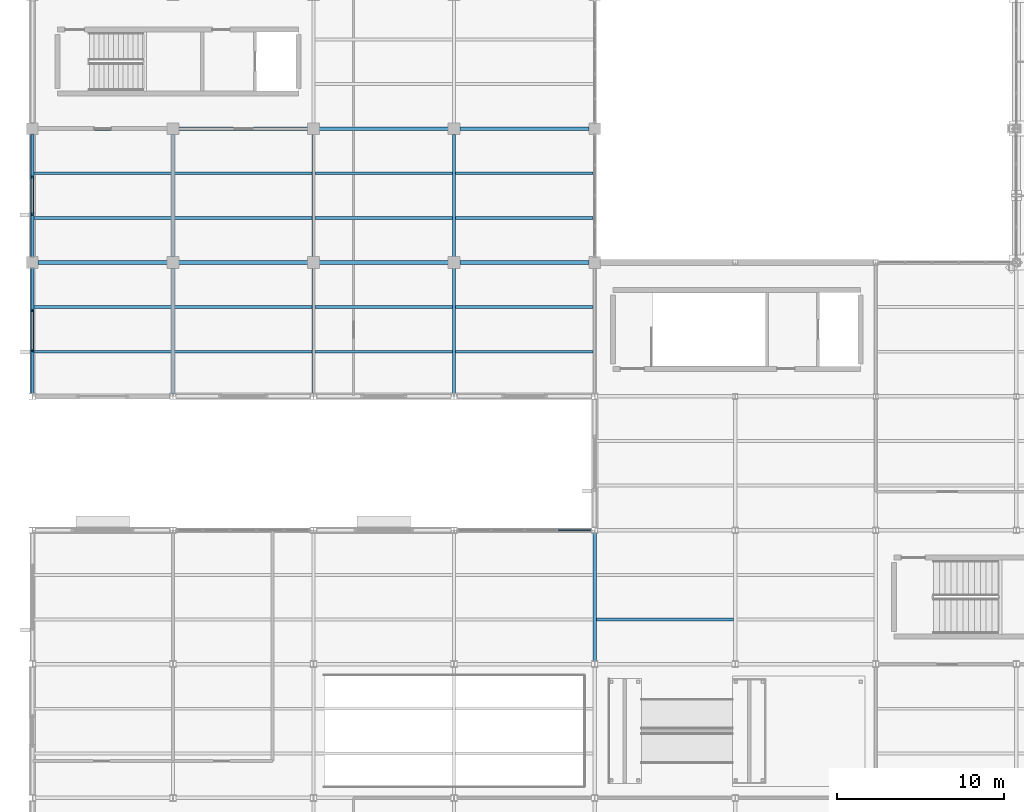
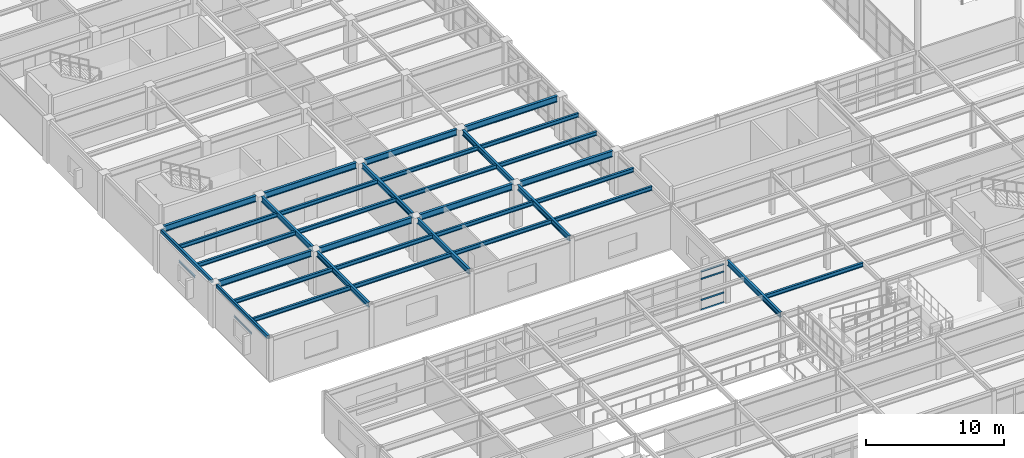
# One storey, part 25 of 138: 36 beams, 4 members, 1 element without a shape of its own.
"""IFC4 building model written with IfcOpenShell, lengths in metres."""

from ifc_helpers import new_model, si_unit, direction, frame, origin, origin_2d, place, context, subcontext, project, spatial, rectangle, hollow_rectangle, i_section, u_section, extrude, material, layer, layer_set, material_profile, profile_set, type_object, element, aggregate, save


model = new_model("IFC4")

# Units and contexts
model_context = context("Model", 3, precision=1e-05, world=origin(), true_north=direction((0.0, 1.0)))
body_context = subcontext(model_context, "Body", "Model", "MODEL_VIEW")
ifc_project = project(units=[si_unit("LENGTHUNIT", "METRE"), si_unit("AREAUNIT", "SQUARE_METRE"), si_unit("VOLUMEUNIT", "CUBIC_METRE"), si_unit("PLANEANGLEUNIT", "RADIAN"), si_unit("MASSUNIT", "GRAM", prefix="KILO")], contexts=[model_context])

# Site, building, storey
site_placement = place(None, origin())
site = spatial("IfcSite", under=ifc_project, at=site_placement, CompositionType="ELEMENT")
building_placement = place(site_placement, origin())
building = spatial("IfcBuilding", under=site, at=building_placement, Name="Kranzveld Transit Interchange", CompositionType="ELEMENT")
storey_placement = place(building_placement, frame((0.0, 0.0, 5.43994140625)))
storey = spatial("IfcBuildingStorey", under=building, at=storey_placement, Name="L01", CompositionType="ELEMENT", Elevation=5.43994140625)

# Beams
ifc_material_1 = material(Name="Steel S355JR", Category="steel")
ifc_material_profile_1 = material_profile(ifc_material_1, i_section(OverallWidth=0.19189453125, OverallDepth=0.46337890625, WebThickness=0.010498046875, FlangeThickness=0.017578125, FilletRadius=0.01025390625, at=origin_2d()), Name="UB 457x191x89")
ifc_profile_set_1 = profile_set([ifc_material_profile_1], Name="Steel S355JR")
beam_type_1 = type_object("IfcBeamType", Name="Beam Steel UB 457x191x89 S355JR", PredefinedType="BEAM", material=ifc_profile_set_1)
beam_1_placement = place(storey_placement, frame((8.39990234375, 48.17724609375, 3.568359375), z_axis=(0.0, 1.0, 0.0), x_axis=(-1.0, 0.0, 0.0)))
element("IfcBeam", 1, at=beam_1_placement, inside=storey, type_object=beam_type_1, Name="L01 Girder 02/G-H", PredefinedType="BEAM", context=body_context, shape_type="SweptSolid", body=[
    extrude(i_section(OverallWidth=0.19189453125, OverallDepth=0.46337890625, WebThickness=0.010498046875, FlangeThickness=0.017578125, FilletRadius=0.01025390625, at=origin_2d()), origin(), (0.0, 0.0, 1.0), 7.482666015625),
])
beam_2_placement = place(storey_placement, frame((8.39990234375, 56.340087890625, 3.568359375), z_axis=(0.0, 1.0, 0.0), x_axis=(-1.0, 0.0, 0.0)))
element("IfcBeam", 2, at=beam_2_placement, inside=storey, type_object=beam_type_1, Name="L01 Girder 02/H-J", PredefinedType="BEAM", context=body_context, shape_type="SweptSolid", body=[
    extrude(i_section(OverallWidth=0.19189453125, OverallDepth=0.46337890625, WebThickness=0.010498046875, FlangeThickness=0.017578125, FilletRadius=0.01025390625, at=origin_2d()), origin(), (0.0, 0.0, 1.0), 7.31982421875),
])
beam_3_placement = place(storey_placement, frame((16.800048828125, 48.17724609375, 3.568359375), z_axis=(0.0, 1.0, 0.0), x_axis=(-1.0, 0.0, 0.0)))
element("IfcBeam", 3, at=beam_3_placement, inside=storey, type_object=beam_type_1, Name="L01 Girder 03/G-H", PredefinedType="BEAM", context=body_context, shape_type="SweptSolid", body=[
    extrude(i_section(OverallWidth=0.19189453125, OverallDepth=0.46337890625, WebThickness=0.010498046875, FlangeThickness=0.017578125, FilletRadius=0.01025390625, at=origin_2d()), origin(), (0.0, 0.0, 1.0), 7.482666015625),
])
beam_4_placement = place(storey_placement, frame((16.800048828125, 56.340087890625, 3.568359375), z_axis=(0.0, 1.0, 0.0), x_axis=(-1.0, 0.0, 0.0)))
element("IfcBeam", 4, at=beam_4_placement, inside=storey, type_object=beam_type_1, Name="L01 Girder 03/H-J", PredefinedType="BEAM", context=body_context, shape_type="SweptSolid", body=[
    extrude(i_section(OverallWidth=0.19189453125, OverallDepth=0.46337890625, WebThickness=0.010498046875, FlangeThickness=0.017578125, FilletRadius=0.01025390625, at=origin_2d()), origin(), (0.0, 0.0, 1.0), 7.31982421875),
])
beam_5_placement = place(storey_placement, frame((25.199951171875, 48.17724609375, 3.568359375), z_axis=(0.0, 1.0, 0.0), x_axis=(-1.0, 0.0, 0.0)))
element("IfcBeam", 5, at=beam_5_placement, inside=storey, type_object=beam_type_1, Name="L01 Girder 04/G-H", PredefinedType="BEAM", context=body_context, shape_type="SweptSolid", body=[
    extrude(i_section(OverallWidth=0.19189453125, OverallDepth=0.46337890625, WebThickness=0.010498046875, FlangeThickness=0.017578125, FilletRadius=0.01025390625, at=origin_2d()), origin(), (0.0, 0.0, 1.0), 7.482666015625),
])
beam_6_placement = place(storey_placement, frame((25.199951171875, 56.340087890625, 3.568359375), z_axis=(0.0, 1.0, 0.0), x_axis=(-1.0, 0.0, 0.0)))
element("IfcBeam", 6, at=beam_6_placement, inside=storey, type_object=beam_type_1, Name="L01 Girder 04/H-J", PredefinedType="BEAM", context=body_context, shape_type="SweptSolid", body=[
    extrude(i_section(OverallWidth=0.19189453125, OverallDepth=0.46337890625, WebThickness=0.010498046875, FlangeThickness=0.017578125, FilletRadius=0.01025390625, at=origin_2d()), origin(), (0.0, 0.0, 1.0), 7.31982421875),
])
beam_7_placement = place(storey_placement, frame((33.60009765625, 32.17724609375, 3.568359375), z_axis=(0.0, 1.0, 0.0), x_axis=(-1.0, 0.0, 0.0)))
element("IfcBeam", 7, at=beam_7_placement, inside=storey, type_object=beam_type_1, Name="L01 Girder 05/E-F", PredefinedType="BEAM", context=body_context, shape_type="SweptSolid", body=[
    extrude(i_section(OverallWidth=0.19189453125, OverallDepth=0.46337890625, WebThickness=0.010498046875, FlangeThickness=0.017578125, FilletRadius=0.01025390625, at=origin_2d()), origin(), (0.0, 0.0, 1.0), 7.6455078125),
])

# Curtain wall, members
ifc_material_2 = material(Name="Bronze-anodised thermally broken aluminium", Category="aluminium")
ifc_layer = layer(ifc_material_2, 0.159912109375)
ifc_layer_set = layer_set([ifc_layer], Name="Bronze-anodised thermally broken aluminium")
curtain_wall_type = type_object("IfcCurtainWallType", Name="Bus Boarding Glazed Screen CW-3", PredefinedType="USERDEFINED", material=ifc_layer_set)
curtain_wall_placement = place(storey_placement, origin())
curtain_wall = element("IfcCurtainWall", 8, at=curtain_wall_placement, inside=storey, type_object=curtain_wall_type, Name="L01 Curtain Wall 04/F-05/F", ObjectType="CURTAIN WALL", PredefinedType="USERDEFINED")
ifc_material_3 = material(Name="Bronze-anodised thermally broken aluminium", Category="aluminium")
ifc_material_profile_2 = material_profile(ifc_material_3, rectangle(XDim=0.06494140625, YDim=0.139892578125, at=origin_2d()), Name="ALU TRANSOM 65x140")
ifc_profile_set_2 = profile_set([ifc_material_profile_2], Name="Bronze-anodised thermally broken aluminium")
member_type = type_object("IfcMemberType", Name="Curtain Wall Transom 65x140 Alu", PredefinedType="USERDEFINED", material=ifc_profile_set_2)
member_1_placement = place(storey_placement, frame((31.436279296875, 40.0, 0.032470703125), z_axis=(1.0, 0.0, 0.0), x_axis=(0.0, 1.0, 0.0)))
member_1 = element("IfcMember", 9, at=member_1_placement, type_object=member_type, Name="CW-3 transom 4.1", ObjectType="TRANSOM", PredefinedType="USERDEFINED", context=body_context, shape_type="SweptSolid", body=[
    extrude(rectangle(XDim=0.06494140625, YDim=0.139892578125, at=origin_2d()), origin(), (0.0, 0.0, 1.0), 1.91650390625),
])
member_2_placement = place(storey_placement, frame((31.436279296875, 40.0, 0.900146484375), z_axis=(1.0, 0.0, 0.0), x_axis=(0.0, 1.0, 0.0)))
member_2 = element("IfcMember", 10, at=member_2_placement, type_object=member_type, Name="CW-3 transom 4.2", ObjectType="TRANSOM", PredefinedType="USERDEFINED", context=body_context, shape_type="SweptSolid", body=[
    extrude(rectangle(XDim=0.06494140625, YDim=0.139892578125, at=origin_2d()), origin(), (0.0, 0.0, 1.0), 1.91650390625),
])
member_3_placement = place(storey_placement, frame((31.436279296875, 40.0, 2.75), z_axis=(1.0, 0.0, 0.0), x_axis=(0.0, 1.0, 0.0)))
member_3 = element("IfcMember", 11, at=member_3_placement, type_object=member_type, Name="CW-3 transom 4.3", ObjectType="TRANSOM", PredefinedType="USERDEFINED", context=body_context, shape_type="SweptSolid", body=[
    extrude(rectangle(XDim=0.06494140625, YDim=0.139892578125, at=origin_2d()), origin(), (0.0, 0.0, 1.0), 1.91650390625),
])
member_4_placement = place(storey_placement, frame((31.436279296875, 40.0, 3.41748046875), z_axis=(1.0, 0.0, 0.0), x_axis=(0.0, 1.0, 0.0)))
member_4 = element("IfcMember", 12, at=member_4_placement, type_object=member_type, Name="CW-3 transom 4.4", ObjectType="TRANSOM", PredefinedType="USERDEFINED", context=body_context, shape_type="SweptSolid", body=[
    extrude(rectangle(XDim=0.06494140625, YDim=0.139892578125, at=origin_2d()), origin(), (0.0, 0.0, 1.0), 1.91650390625),
])
aggregate(curtain_wall, [member_1, member_2, member_3, member_4])

# Beams
ifc_material_4 = material(Name="Steel S355JR", Category="steel")
ifc_material_profile_3 = material_profile(ifc_material_4, hollow_rectangle(XDim=0.199951171875, YDim=0.300048828125, WallThickness=0.010009765625, InnerFilletRadius=0.014892578125, OuterFilletRadius=0.02490234375, at=origin_2d()), Name="RHS 300x200x10")
ifc_profile_set_3 = profile_set([ifc_material_profile_3], Name="Steel S355JR")
beam_type_2 = type_object("IfcBeamType", Name="Edge Spandrel RHS 300x200x10 S355JR", PredefinedType="SPANDREL", material=ifc_profile_set_3)
beam_8_placement = place(storey_placement, frame((0.0, 48.17724609375, 3.650146484375), z_axis=(0.0, 1.0, 0.0), x_axis=(-1.0, 0.0, 0.0)))
element("IfcBeam", 13, at=beam_8_placement, inside=storey, type_object=beam_type_2, Name="L01 Girder 01/G-H", PredefinedType="SPANDREL", context=body_context, shape_type="SweptSolid", body=[
    extrude(hollow_rectangle(XDim=0.199951171875, YDim=0.300048828125, WallThickness=0.010009765625, InnerFilletRadius=0.014892578125, OuterFilletRadius=0.02490234375, at=origin_2d()), origin(), (0.0, 0.0, 1.0), 7.482666015625),
])
beam_9_placement = place(storey_placement, frame((0.0, 56.340087890625, 3.650146484375), z_axis=(0.0, 1.0, 0.0), x_axis=(-1.0, 0.0, 0.0)))
element("IfcBeam", 14, at=beam_9_placement, inside=storey, type_object=beam_type_2, Name="L01 Girder 01/H-J", PredefinedType="SPANDREL", context=body_context, shape_type="SweptSolid", body=[
    extrude(hollow_rectangle(XDim=0.199951171875, YDim=0.300048828125, WallThickness=0.010009765625, InnerFilletRadius=0.014892578125, OuterFilletRadius=0.02490234375, at=origin_2d()), origin(), (0.0, 0.0, 1.0), 7.31982421875),
])
ifc_material_5 = material(Name="Steel S355JR", Category="steel")
ifc_material_profile_4 = material_profile(ifc_material_5, i_section(OverallWidth=0.172119140625, OverallDepth=0.35791015625, WebThickness=0.008056640625, FlangeThickness=0.012939453125, FilletRadius=0.01025390625, at=origin_2d()), Name="UB 356x171x57")
ifc_profile_set_4 = profile_set([ifc_material_profile_4], Name="Steel S355JR")
beam_type_3 = type_object("IfcBeamType", Name="Floor Joist UB 356x171x57 S355JR", PredefinedType="JOIST", material=ifc_profile_set_4)
for number, where, z_axis, x_axis, name in (
    (15, (0.10205078125, 50.666748046875, 3.62109375), (1.0, 0.0, 0.0), (0.0, 1.0, 0.0), "L01 Secondary Joist 01-02/G.1"),
    (16, (0.10205078125, 53.333251953125, 3.62109375), (1.0, 0.0, 0.0), (0.0, 1.0, 0.0), "L01 Secondary Joist 01-02/G.2"),
    (17, (0.10205078125, 58.666748046875, 3.62109375), (1.0, 0.0, 0.0), (0.0, 1.0, 0.0), "L01 Secondary Joist 01-02/H.1"),
    (18, (0.10205078125, 61.333251953125, 3.62109375), (1.0, 0.0, 0.0), (0.0, 1.0, 0.0), "L01 Secondary Joist 01-02/H.2"),
):
    element("IfcBeam", number, at=place(storey_placement, frame(where, z_axis=z_axis, x_axis=x_axis)), inside=storey, type_object=beam_type_3, Name=name, PredefinedType="JOIST", context=body_context, shape_type="SweptSolid", body=[
        extrude(i_section(OverallWidth=0.172119140625, OverallDepth=0.35791015625, WebThickness=0.008056640625, FlangeThickness=0.012939453125, FilletRadius=0.01025390625, at=origin_2d()), origin(), (0.0, 0.0, 1.0), 8.199951171875),
    ])
for number, where, z_axis, x_axis, name in (
    (19, (8.498046875, 50.666748046875, 3.62109375), (1.0, 0.0, 0.0), (0.0, 1.0, 0.0), "L01 Secondary Joist 02-03/G.1"),
    (20, (8.498046875, 53.333251953125, 3.62109375), (1.0, 0.0, 0.0), (0.0, 1.0, 0.0), "L01 Secondary Joist 02-03/G.2"),
    (21, (8.498046875, 58.666748046875, 3.62109375), (1.0, 0.0, 0.0), (0.0, 1.0, 0.0), "L01 Secondary Joist 02-03/H.1"),
    (22, (8.498046875, 61.333251953125, 3.62109375), (1.0, 0.0, 0.0), (0.0, 1.0, 0.0), "L01 Secondary Joist 02-03/H.2"),
    (23, (16.89794921875, 50.666748046875, 3.62109375), (1.0, 0.0, 0.0), (0.0, 1.0, 0.0), "L01 Secondary Joist 03-04/G.1"),
    (24, (16.89794921875, 53.333251953125, 3.62109375), (1.0, 0.0, 0.0), (0.0, 1.0, 0.0), "L01 Secondary Joist 03-04/G.2"),
    (25, (16.89794921875, 58.666748046875, 3.62109375), (1.0, 0.0, 0.0), (0.0, 1.0, 0.0), "L01 Secondary Joist 03-04/H.1"),
    (26, (16.89794921875, 61.333251953125, 3.62109375), (1.0, 0.0, 0.0), (0.0, 1.0, 0.0), "L01 Secondary Joist 03-04/H.2"),
    (27, (25.2978515625, 50.666748046875, 3.62109375), (1.0, 0.0, 0.0), (0.0, 1.0, 0.0), "L01 Secondary Joist 04-05/G.1"),
    (28, (25.2978515625, 53.333251953125, 3.62109375), (1.0, 0.0, 0.0), (0.0, 1.0, 0.0), "L01 Secondary Joist 04-05/G.2"),
):
    element("IfcBeam", number, at=place(storey_placement, frame(where, z_axis=z_axis, x_axis=x_axis)), inside=storey, type_object=beam_type_3, Name=name, PredefinedType="JOIST", context=body_context, shape_type="SweptSolid", body=[
        extrude(i_section(OverallWidth=0.172119140625, OverallDepth=0.35791015625, WebThickness=0.008056640625, FlangeThickness=0.012939453125, FilletRadius=0.01025390625, at=origin_2d()), origin(), (0.0, 0.0, 1.0), 8.2041015625),
    ])
for number, where, z_axis, x_axis, name in (
    (29, (25.2978515625, 58.666748046875, 3.62109375), (1.0, 0.0, 0.0), (0.0, 1.0, 0.0), "L01 Secondary Joist 04-05/H.1"),
    (30, (25.2978515625, 61.333251953125, 3.62109375), (1.0, 0.0, 0.0), (0.0, 1.0, 0.0), "L01 Secondary Joist 04-05/H.2"),
):
    element("IfcBeam", number, at=place(storey_placement, frame(where, z_axis=z_axis, x_axis=x_axis)), inside=storey, type_object=beam_type_3, Name=name, PredefinedType="JOIST", context=body_context, shape_type="SweptSolid", body=[
        extrude(i_section(OverallWidth=0.172119140625, OverallDepth=0.35791015625, WebThickness=0.008056640625, FlangeThickness=0.012939453125, FilletRadius=0.01025390625, at=origin_2d()), origin(), (0.0, 0.0, 1.0), 8.2001953125),
    ])
beam_10_placement = place(storey_placement, frame((33.697998046875, 34.666748046875, 3.62109375), z_axis=(1.0, 0.0, 0.0), x_axis=(0.0, 1.0, 0.0)))
element("IfcBeam", 31, at=beam_10_placement, inside=storey, type_object=beam_type_3, Name="L01 Secondary Joist 05-06/E.1", PredefinedType="JOIST", context=body_context, shape_type="SweptSolid", body=[
    extrude(i_section(OverallWidth=0.172119140625, OverallDepth=0.35791015625, WebThickness=0.008056640625, FlangeThickness=0.012939453125, FilletRadius=0.01025390625, at=origin_2d()), origin(), (0.0, 0.0, 1.0), 8.2041015625),
])
ifc_material_6 = material(Name="Steel S355JR", Category="steel")
ifc_material_profile_5 = material_profile(ifc_material_6, i_section(OverallWidth=0.210693359375, OverallDepth=0.53955078125, WebThickness=0.01171875, FlangeThickness=0.018798828125, FilletRadius=0.0126953125, at=origin_2d()), Name="UB 533x210x109")
ifc_profile_set_5 = profile_set([ifc_material_profile_5], Name="Steel S355JR")
beam_type_4 = type_object("IfcBeamType", Name="Girder Steel UB 533x210x109 S355JR", PredefinedType="BEAM", material=ifc_profile_set_5)
for number, where, z_axis, x_axis, name in (
    (32, (0.340087890625, 56.0, 3.5302734375), (1.0, 0.0, 0.0), (0.0, 1.0, 0.0), "L01 Girder 01-02/H"),
    (33, (8.739990234375, 56.0, 3.5302734375), (1.0, 0.0, 0.0), (0.0, 1.0, 0.0), "L01 Girder 02-03/H"),
):
    element("IfcBeam", number, at=place(storey_placement, frame(where, z_axis=z_axis, x_axis=x_axis)), inside=storey, type_object=beam_type_4, Name=name, PredefinedType="BEAM", context=body_context, shape_type="SweptSolid", body=[
        extrude(i_section(OverallWidth=0.210693359375, OverallDepth=0.53955078125, WebThickness=0.01171875, FlangeThickness=0.018798828125, FilletRadius=0.0126953125, at=origin_2d()), origin(), (0.0, 0.0, 1.0), 7.719970703125),
    ])
beam_11_placement = place(storey_placement, frame((17.139892578125, 56.0, 3.5302734375), z_axis=(1.0, 0.0, 0.0), x_axis=(0.0, 1.0, 0.0)))
element("IfcBeam", 34, at=beam_11_placement, inside=storey, type_object=beam_type_4, Name="L01 Girder 03-04/H", PredefinedType="BEAM", context=body_context, shape_type="SweptSolid", body=[
    extrude(i_section(OverallWidth=0.210693359375, OverallDepth=0.53955078125, WebThickness=0.01171875, FlangeThickness=0.018798828125, FilletRadius=0.0126953125, at=origin_2d()), origin(), (0.0, 0.0, 1.0), 7.72021484375),
])
for number, where, z_axis, x_axis, name in (
    (35, (25.5400390625, 56.0, 3.5302734375), (1.0, 0.0, 0.0), (0.0, 1.0, 0.0), "L01 Girder 04-05/H"),
    (36, (0.340087890625, 64.0, 3.5302734375), (1.0, 0.0, 0.0), (0.0, 1.0, 0.0), "L01 Girder 01-02/J"),
    (37, (8.739990234375, 64.0, 3.5302734375), (1.0, 0.0, 0.0), (0.0, 1.0, 0.0), "L01 Girder 02-03/J"),
):
    element("IfcBeam", number, at=place(storey_placement, frame(where, z_axis=z_axis, x_axis=x_axis)), inside=storey, type_object=beam_type_4, Name=name, PredefinedType="BEAM", context=body_context, shape_type="SweptSolid", body=[
        extrude(i_section(OverallWidth=0.210693359375, OverallDepth=0.53955078125, WebThickness=0.01171875, FlangeThickness=0.018798828125, FilletRadius=0.0126953125, at=origin_2d()), origin(), (0.0, 0.0, 1.0), 7.719970703125),
    ])
beam_12_placement = place(storey_placement, frame((17.139892578125, 64.0, 3.5302734375), z_axis=(1.0, 0.0, 0.0), x_axis=(0.0, 1.0, 0.0)))
element("IfcBeam", 38, at=beam_12_placement, inside=storey, type_object=beam_type_4, Name="L01 Girder 03-04/J", PredefinedType="BEAM", context=body_context, shape_type="SweptSolid", body=[
    extrude(i_section(OverallWidth=0.210693359375, OverallDepth=0.53955078125, WebThickness=0.01171875, FlangeThickness=0.018798828125, FilletRadius=0.0126953125, at=origin_2d()), origin(), (0.0, 0.0, 1.0), 7.72021484375),
])
beam_13_placement = place(storey_placement, frame((25.5400390625, 64.0, 3.5302734375), z_axis=(1.0, 0.0, 0.0), x_axis=(0.0, 1.0, 0.0)))
element("IfcBeam", 39, at=beam_13_placement, inside=storey, type_object=beam_type_4, Name="L01 Girder 04-05/J", PredefinedType="BEAM", context=body_context, shape_type="SweptSolid", body=[
    extrude(i_section(OverallWidth=0.210693359375, OverallDepth=0.53955078125, WebThickness=0.01171875, FlangeThickness=0.018798828125, FilletRadius=0.0126953125, at=origin_2d()), origin(), (0.0, 0.0, 1.0), 7.719970703125),
])
ifc_material_7 = material(Name="Steel S355JR", Category="steel")
ifc_material_profile_6 = material_profile(ifc_material_7, u_section(Depth=0.179931640625, FlangeWidth=0.070068359375, WebThickness=0.007080078125, FlangeThickness=0.010986328125, FilletRadius=0.010009765625, at=origin_2d()), Name="PFC 180x70x22")
ifc_profile_set_6 = profile_set([ifc_material_profile_6], Name="Steel S355JR")
beam_type_5 = type_object("IfcBeamType", Name="Masonry Lintel PFC 180x70x22 S355JR", PredefinedType="LINTEL", material=ifc_profile_set_6)
beam_14_placement = place(storey_placement, frame((0.0, 50.638671875, 2.4951171875), z_axis=(0.0, 1.0, 0.0), x_axis=(-1.0, 0.0, 0.0)))
element("IfcBeam", 40, at=beam_14_placement, inside=storey, type_object=beam_type_5, Name="L01 Window Lintel 069", PredefinedType="LINTEL", context=body_context, shape_type="SweptSolid", body=[
    extrude(u_section(Depth=0.179931640625, FlangeWidth=0.070068359375, WebThickness=0.007080078125, FlangeThickness=0.010986328125, FilletRadius=0.010009765625, at=origin_2d()), origin(), (0.0, 0.0, 1.0), 2.559814453125),
])
ifc_material_8 = material(Name="Steel S355JR", Category="steel")
ifc_material_profile_7 = material_profile(ifc_material_8, i_section(OverallWidth=0.10009765625, OverallDepth=0.199951171875, WebThickness=0.005615234375, FlangeThickness=0.008544921875, FilletRadius=0.011962890625, at=origin_2d()), Name="IPE 200")
ifc_profile_set_7 = profile_set([ifc_material_profile_7], Name="Steel S355JR")
beam_type_6 = type_object("IfcBeamType", Name="Opening Lintel IPE 200 S355JR", PredefinedType="LINTEL", material=ifc_profile_set_7)
beam_15_placement = place(storey_placement, frame((0.0, 58.820068359375, 2.505126953125), z_axis=(0.0, 1.0, 0.0), x_axis=(-1.0, 0.0, 0.0)))
element("IfcBeam", 41, at=beam_15_placement, inside=storey, type_object=beam_type_6, Name="L01 Window Lintel 070", PredefinedType="LINTEL", context=body_context, shape_type="SweptSolid", body=[
    extrude(i_section(OverallWidth=0.10009765625, OverallDepth=0.199951171875, WebThickness=0.005615234375, FlangeThickness=0.008544921875, FilletRadius=0.011962890625, at=origin_2d()), origin(), (0.0, 0.0, 1.0), 2.35986328125),
])

save(model, "model.ifc")
